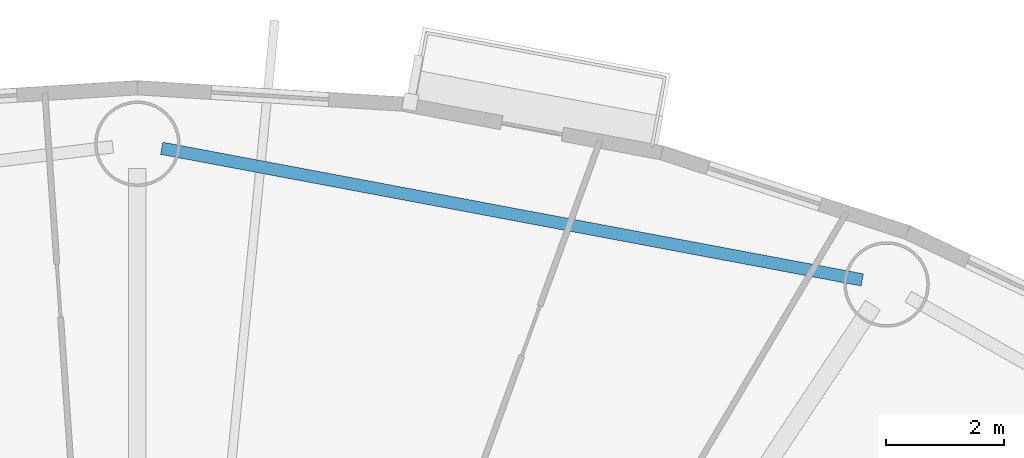
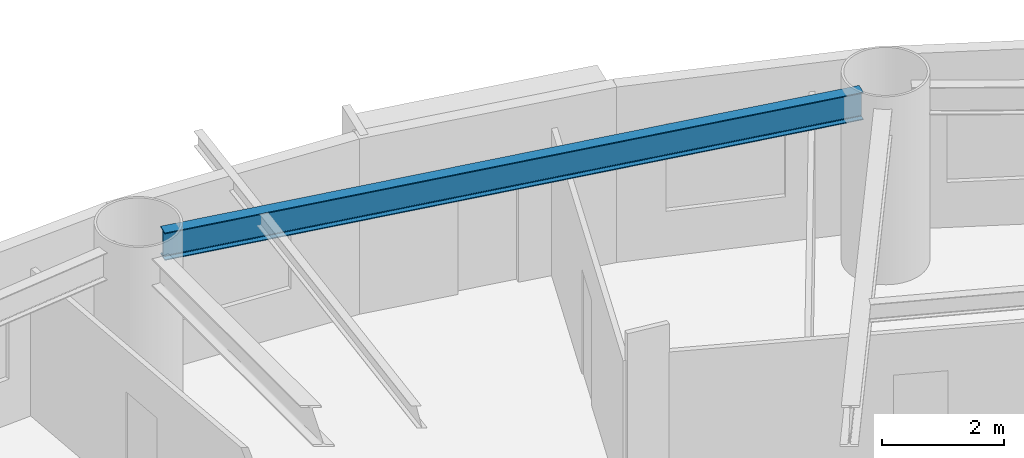
# One storey, part 6 of 20: 1 beam.
"""IFC4 building model written with IfcOpenShell, lengths in metres."""

from ifc_helpers import new_model, si_unit, direction, frame, origin, origin_2d, place, context, subcontext, project, spatial, i_section, extrude, material, material_profile, profile_set, type_object, element, save


model = new_model("IFC4")

# Units and contexts
model_context = context("Model", 3, precision=1e-05, world=origin(), true_north=direction((0.0, 1.0)))
body_context = subcontext(model_context, "Body", "Model", "MODEL_VIEW")
ifc_project = project(units=[si_unit("LENGTHUNIT", "METRE"), si_unit("AREAUNIT", "SQUARE_METRE"), si_unit("VOLUMEUNIT", "CUBIC_METRE"), si_unit("PLANEANGLEUNIT", "RADIAN"), si_unit("MASSUNIT", "GRAM", prefix="KILO")], contexts=[model_context])

# Site, building, storey
site_placement = place(None, origin())
site = spatial("IfcSite", under=ifc_project, at=site_placement, CompositionType="ELEMENT")
building_placement = place(site_placement, origin())
building = spatial("IfcBuilding", under=site, at=building_placement, Name="Linh Dai School and Residence Tower", CompositionType="ELEMENT")
storey_placement = place(building_placement, frame((0.0, 0.0, 127.199951171875)))
storey = spatial("IfcBuildingStorey", under=building, at=storey_placement, Name="L30", CompositionType="ELEMENT", Elevation=127.199951171875)

# Beam
ifc_material = material(Name="Structural Steel S355JR", Category="steel")
ifc_material_profile = material_profile(ifc_material, i_section(OverallWidth=0.2099609375, OverallDepth=0.550048828125, WebThickness=0.010986328125, FlangeThickness=0.01708984375, FilletRadius=0.02392578125, at=origin_2d()), Name="IPE 550")
ifc_profile_set = profile_set([ifc_material_profile], Name="Structural Steel S355JR")
beam_type = type_object("IfcBeamType", Name="BM-RB55", PredefinedType="BEAM", material=ifc_profile_set)
beam_placement = place(storey_placement, frame((48.30908203125, 46.24267578125, 3.22509765625), z_axis=(-0.982807507457, 0.184633158685, 0.0), x_axis=(-0.184633158685, -0.982807507457, 0.0)))
element("IfcBeam", 1, at=beam_placement, inside=storey, type_object=beam_type, Name="L30 Perimeter Elliptical Ring Beam 04", PredefinedType="BEAM", context=body_context, shape_type="SweptSolid", body=[
    extrude(i_section(OverallWidth=0.2099609375, OverallDepth=0.550048828125, WebThickness=0.010986328125, FlangeThickness=0.01708984375, FilletRadius=0.02392578125, at=origin_2d()), origin(), (0.0, 0.0, 1.0), 12.104248046875),
])

save(model, "model.ifc")
